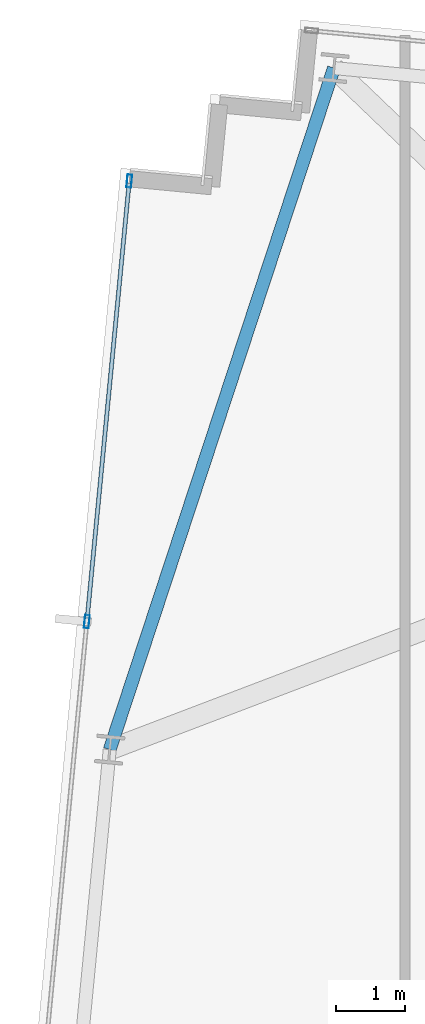
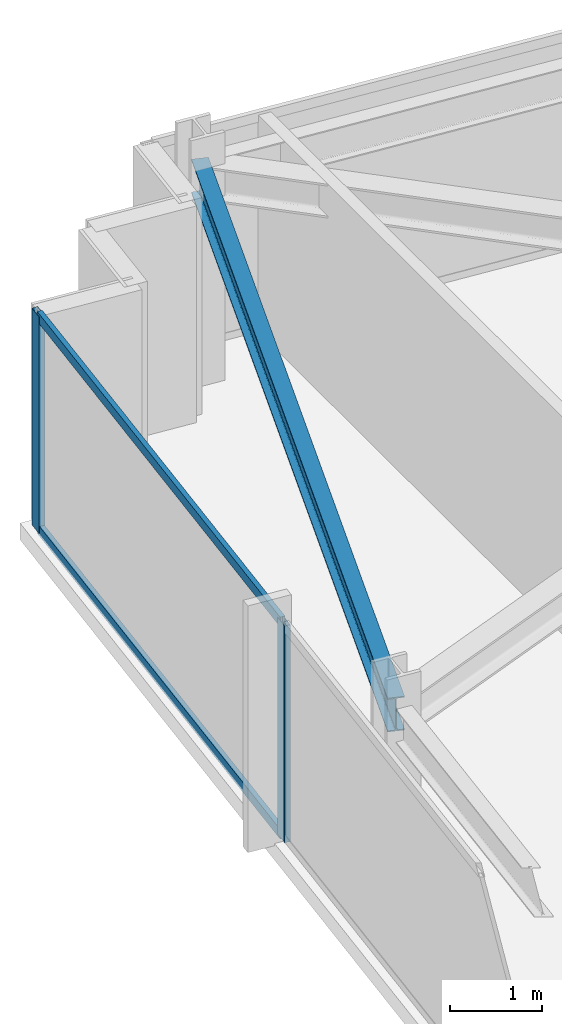
# One storey, part 21 of 37: 4 members, 1 beam, 1 element without a shape of its own.
"""IFC4 building model written with IfcOpenShell, lengths in metres."""

import ifcopenshell
import ifcopenshell.guid

model = None  # the IFC model being written
_history = None  # IfcOwnerHistory: only IFC2X3 demands one
_inside = {}  # id of a spatial element -> (the spatial element, [elements in it])
_under = {}  # id of a project, library or spatial element -> (it, [spatial elements below it])
_declared = {}  # id of a project -> (the project, [libraries it declares])
_typed = {}  # id of a type object -> (the type object, [elements of that type])
_made_of = {}  # id of a material, layer set ... -> (it, [elements and type objects made of it])


def new_model(schema):
    """Start an empty IFC model of exactly this schema.

    Asked for "IFC4X3", IfcOpenShell would pick the latest addendum, in which some entities
    have other attributes; the version numbers below select the first issue.
    IFC2X3 requires an IfcOwnerHistory on every rooted entity: one is made here for all.
    """
    global model, _history
    if schema == "IFC4X3":
        model = ifcopenshell.file(schema_version=(4, 3, 0, 0))
    else:
        model = ifcopenshell.file(schema=schema)
    _inside.clear()
    _under.clear()
    _declared.clear()
    _typed.clear()
    _made_of.clear()
    _history = None
    if model.schema == "IFC2X3":
        org = make("IfcOrganization", Name="unknown")
        user = make(
            "IfcPersonAndOrganization",
            ThePerson=make("IfcPerson", FamilyName="unknown"),
            TheOrganization=org,
        )
        app = make(
            "IfcApplication",
            ApplicationDeveloper=org,
            Version="unknown",
            ApplicationFullName="unknown",
            ApplicationIdentifier="unknown",
        )
        _history = make(
            "IfcOwnerHistory",
            OwningUser=user,
            OwningApplication=app,
            ChangeAction="ADDED",
            CreationDate=0,
        )
    return model


def make(cls, **values):
    """One entity of the class cls with the attributes given. An attribute that is None is left unset."""
    return model.create_entity(
        cls, **{name: value for name, value in values.items() if value is not None}
    )


def rooted(cls, **values):
    """An entity with a GlobalId (a new one), such as an element, a storey or a relation."""
    return make(cls, GlobalId=ifcopenshell.guid.new(), OwnerHistory=_history, **values)


def si_unit(unit_type, name, prefix=None):
    """IfcSIUnit, for example si_unit("LENGTHUNIT", "METRE", prefix="MILLI")."""
    return make("IfcSIUnit", UnitType=unit_type, Prefix=prefix, Name=name)


def assignment(units):
    """IfcUnitAssignment: the units of a project."""
    return None if units is None else make("IfcUnitAssignment", Units=units)


def point(xyz):
    """IfcCartesianPoint."""
    return None if xyz is None else make("IfcCartesianPoint", Coordinates=xyz)


def direction(xyz):
    """IfcDirection."""
    return None if xyz is None else make("IfcDirection", DirectionRatios=xyz)


def frame(location, z_axis=None, x_axis=None):
    """IfcAxis2Placement3D, a coordinate frame: its origin and axes. An axis left out is left unset."""
    return make(
        "IfcAxis2Placement3D",
        Location=point(location),
        Axis=direction(z_axis),
        RefDirection=direction(x_axis),
    )


def frame_2d(location, x_axis=None):
    """IfcAxis2Placement2D, a coordinate frame in the plane: its origin and x axis."""
    return make(
        "IfcAxis2Placement2D", Location=point(location), RefDirection=direction(x_axis)
    )


def origin():
    """The frame at (0, 0, 0) with its axes left unset."""
    return frame((0.0, 0.0, 0.0))


def origin_2d():
    """The frame at (0, 0) in the plane with its x axis left unset."""
    return frame_2d((0.0, 0.0))


def place(relative_to, where):
    """IfcLocalPlacement: puts the frame where relative to a parent placement (None: the world)."""
    return make(
        "IfcLocalPlacement", PlacementRelTo=relative_to, RelativePlacement=where
    )


def context(
    kind, dimensions, precision=None, world=None, true_north=None, identifier=None
):
    """IfcGeometricRepresentationContext, for example the 3D "Model" context."""
    return make(
        "IfcGeometricRepresentationContext",
        ContextIdentifier=identifier,
        ContextType=kind,
        CoordinateSpaceDimension=dimensions,
        Precision=precision,
        WorldCoordinateSystem=world,
        TrueNorth=true_north,
    )


def subcontext(parent, identifier, kind, view, scale=None):
    """IfcGeometricRepresentationSubContext, for example "Body" below "Model"."""
    return make(
        "IfcGeometricRepresentationSubContext",
        ContextIdentifier=identifier,
        ContextType=kind,
        ParentContext=parent,
        TargetScale=scale,
        TargetView=view,
    )


def project(units=None, contexts=None):
    """IfcProject with its units and contexts."""
    return rooted(
        "IfcProject",
        Name="project",
        RepresentationContexts=contexts,
        UnitsInContext=assignment(units),
    )


def spatial(cls, under=None, at=None, **own):
    """A site, building, storey or space (cls), placed at a placement, below another one or the project."""
    s = rooted(cls, ObjectPlacement=at, **own)
    if under is not None:
        _under.setdefault(under.id(), (under, []))[1].append(s)
    return s


def profile(cls, at=None, kind="AREA", **sizes):
    """A parametric profile (cls). Its sizes go by their IFC names, for example OverallWidth=200.0."""
    return make(cls, ProfileType=kind, Position=at, **sizes)


def hollow_rectangle(**sizes):
    """IfcRectangleHollowProfileDef."""
    return profile("IfcRectangleHollowProfileDef", **sizes)


def i_section(**sizes):
    """IfcIShapeProfileDef."""
    return profile("IfcIShapeProfileDef", **sizes)


def extrude(swept, where, along, depth):
    """IfcExtrudedAreaSolid: the profile swept, set in the frame where, extruded along a direction by depth."""
    return make(
        "IfcExtrudedAreaSolid",
        SweptArea=swept,
        Position=where,
        ExtrudedDirection=direction(along),
        Depth=depth,
    )


def shape(context_of_items, identifier, shape_type, items):
    """IfcShapeRepresentation: the items that make up one representation, for example the "Body"."""
    return make(
        "IfcShapeRepresentation",
        ContextOfItems=context_of_items,
        RepresentationIdentifier=identifier,
        RepresentationType=shape_type,
        Items=items,
    )


def material(Name=None, Category=None):
    """IfcMaterial."""
    return make("IfcMaterial", Name=Name, Category=Category)


def material_profile(
    of_material, cross_section, Name=None, Category=None, Priority=None
):
    """IfcMaterialProfile: a cross section and its material."""
    return make(
        "IfcMaterialProfile",
        Name=Name,
        Material=of_material,
        Profile=cross_section,
        Priority=Priority,
        Category=Category,
    )


def profile_set(profiles, Name=None, composite=None):
    """IfcMaterialProfileSet."""
    return make(
        "IfcMaterialProfileSet",
        Name=Name,
        MaterialProfiles=profiles,
        CompositeProfile=composite,
    )


def made_of(thing, what):
    """Note that an element or type object is made of a material, layer set ...; save() writes the relation."""
    if what is not None:
        _made_of.setdefault(what.id(), (what, []))[1].append(thing)
    return thing


def type_object(cls, material=None, **own):
    """A type object (cls), such as IfcWallType, which elements share."""
    return made_of(rooted(cls, **own), material)


def element(
    cls,
    number,
    at=None,
    inside=None,
    cuts=None,
    type_object=None,
    material=None,
    context=None,
    identifier="Body",
    shape_type=None,
    held_by="IfcProductDefinitionShape",
    body=None,
    shapes=None,
    **own,
):
    """One element of the class cls, such as IfcWall. Its Tag is "e" and its number.

    at: its placement. inside: the storey or other place that contains it. cuts: it is an
    opening in that element (IfcRelVoidsElement). A single representation is given by context,
    identifier, shape_type and body (its items); several are given by shapes. held_by: the class
    of the entity that holds the representations. save() writes the other relations.
    """
    e = rooted(cls, Tag="e%d" % number, ObjectPlacement=at, **own)
    if body is not None:
        shapes = [shape(context, identifier, shape_type, body)]
    if shapes is not None:
        e.Representation = make(held_by, Representations=shapes)
    if inside is not None:
        _inside.setdefault(inside.id(), (inside, []))[1].append(e)
    if cuts is not None:
        rooted(
            "IfcRelVoidsElement", RelatingBuildingElement=cuts, RelatedOpeningElement=e
        )
    if type_object is not None:
        _typed.setdefault(type_object.id(), (type_object, []))[1].append(e)
    return made_of(e, material)


def aggregate(whole, parts):
    """IfcRelAggregates: a whole, such as a stair, and the parts it consists of."""
    return rooted("IfcRelAggregates", RelatingObject=whole, RelatedObjects=parts)


def save(model, path):
    """Write the relations noted so far, then the file.

    IfcRelAggregates (storeys below a building ...), IfcRelContainedInSpatialStructure (elements
    in a storey), IfcRelDefinesByType, IfcRelAssociatesMaterial and IfcRelDeclares: one each for
    every whole, place, type object, material and project.
    """
    for whole, parts in _under.values():
        aggregate(whole, parts)
    for where, things in _inside.values():
        rooted(
            "IfcRelContainedInSpatialStructure",
            RelatedElements=things,
            RelatingStructure=where,
        )
    for kind, things in _typed.values():
        rooted("IfcRelDefinesByType", RelatedObjects=things, RelatingType=kind)
    for what, things in _made_of.values():
        rooted("IfcRelAssociatesMaterial", RelatedObjects=things, RelatingMaterial=what)
    for by, libraries in _declared.values():
        rooted("IfcRelDeclares", RelatingContext=by, RelatedDefinitions=libraries)
    model.write(path)


model = new_model("IFC4")

# Units and contexts
model_context = context("Model", 3, precision=1e-05, world=origin(), true_north=direction((0.0, 1.0)))
body_context = subcontext(model_context, "Body", "Model", "MODEL_VIEW")
ifc_project = project(units=[si_unit("LENGTHUNIT", "METRE"), si_unit("AREAUNIT", "SQUARE_METRE"), si_unit("VOLUMEUNIT", "CUBIC_METRE"), si_unit("PLANEANGLEUNIT", "RADIAN"), si_unit("MASSUNIT", "GRAM", prefix="KILO")], contexts=[model_context])

# Site, building, storey
site_placement = place(None, origin())
site = spatial("IfcSite", under=ifc_project, at=site_placement, CompositionType="ELEMENT")
building_placement = place(site_placement, origin())
building = spatial("IfcBuilding", under=site, at=building_placement, Name="Yelkora Congress Tower", CompositionType="ELEMENT")
storey_placement = place(building_placement, frame((0.0, 0.0, 188.60009765625)))
storey = spatial("IfcBuildingStorey", under=building, at=storey_placement, Name="L52", CompositionType="ELEMENT", Elevation=188.60009765625)

# Beam
ifc_material_1 = material(Name="Steel S355J2", Category="steel")
ifc_material_profile_1 = material_profile(ifc_material_1, i_section(OverallWidth=0.18994140625, OverallDepth=0.449951171875, WebThickness=0.009521484375, FlangeThickness=0.0146484375, FilletRadius=0.02099609375, at=origin_2d()), Name="IPE 450")
ifc_profile_set_1 = profile_set([ifc_material_profile_1], Name="Steel S355J2")
beam_type = type_object("IfcBeamType", Name="BM-SPAN-IPE450", PredefinedType="SPANDREL", material=ifc_profile_set_1)
beam_placement = place(storey_placement, frame((7.388916015625, 50.390625, 2.65478515625), z_axis=(-0.312456737339, -0.949931990877, 0.0), x_axis=(0.949931990877, -0.312456737339, 0.0)))
element("IfcBeam", 1, at=beam_placement, inside=storey, type_object=beam_type, Name="L52 Perimeter Beam 16", PredefinedType="SPANDREL", context=body_context, shape_type="SweptSolid", body=[
    extrude(i_section(OverallWidth=0.18994140625, OverallDepth=0.449951171875, WebThickness=0.009521484375, FlangeThickness=0.0146484375, FilletRadius=0.02099609375, at=origin_2d()), origin(), (0.0, 0.0, 1.0), 10.4560546875),
])

# Curtain wall, members
ifc_material_2 = material(Name="Anodised aluminium and insulated glass", Category="aluminium")
curtain_wall_type = type_object("IfcCurtainWallType", Name="CW-SYS-B3", PredefinedType="NOTDEFINED", material=ifc_material_2)
curtain_wall_placement = place(storey_placement, origin())
curtain_wall = element("IfcCurtainWall", 2, at=curtain_wall_placement, inside=storey, type_object=curtain_wall_type, Name="L52 Unitised Curtain Wall 5", PredefinedType="NOTDEFINED")
ifc_material_3 = material(Name="Anodised aluminium 6063-T6", Category="aluminium")
ifc_material_profile_2 = material_profile(ifc_material_3, hollow_rectangle(XDim=0.070068359375, YDim=0.18994140625, WallThickness=0.00390625, at=origin_2d()), Name="ALU 70x190x4")
ifc_profile_set_2 = profile_set([ifc_material_profile_2], Name="Anodised aluminium 6063-T6")
member_type_1 = type_object("IfcMemberType", Name="MEM-ML-B3", PredefinedType="MULLION", material=ifc_profile_set_2)
member_1_placement = place(storey_placement, frame((3.7890625, 42.324462890625, 0.0), z_axis=(0.0, 0.0, 1.0), x_axis=(-0.995396242473, 0.095845294465, 0.0)))
member_1 = element("IfcMember", 3, at=member_1_placement, type_object=member_type_1, Name="CW-B3 mullion 5", PredefinedType="MULLION", context=body_context, shape_type="SweptSolid", body=[
    extrude(hollow_rectangle(XDim=0.070068359375, YDim=0.18994140625, WallThickness=0.00390625, at=origin_2d()), origin(), (0.0, 0.0, 1.0), 2.8798828125),
])
member_2_placement = place(storey_placement, frame((4.4072265625, 48.74365234375, 0.0), z_axis=(0.0, 0.0, 1.0), x_axis=(-0.995396242473, 0.095845294465, 0.0)))
member_2 = element("IfcMember", 4, at=member_2_placement, type_object=member_type_1, Name="CW-B3 mullion 6", PredefinedType="MULLION", context=body_context, shape_type="SweptSolid", body=[
    extrude(hollow_rectangle(XDim=0.070068359375, YDim=0.18994140625, WallThickness=0.00390625, at=origin_2d()), origin(), (0.0, 0.0, 1.0), 2.8798828125),
])
ifc_material_profile_3 = material_profile(ifc_material_3, hollow_rectangle(XDim=0.06005859375, YDim=0.1298828125, WallThickness=0.00390625, at=origin_2d()), Name="ALU 60x130x4")
ifc_profile_set_3 = profile_set([ifc_material_profile_3], Name="Anodised aluminium 6063-T6")
member_type_2 = type_object("IfcMemberType", Name="MEM-TR-B3", PredefinedType="USERDEFINED", material=ifc_profile_set_3)
member_3_placement = place(storey_placement, frame((3.79248046875, 42.359375, 0.02978515625), z_axis=(0.095834923543, 0.99539724102, 0.0), x_axis=(-0.99539724102, 0.095834923543, 0.0)))
member_3 = element("IfcMember", 5, at=member_3_placement, type_object=member_type_2, Name="CW-B3 transom 5.1", ObjectType="TRANSOM", PredefinedType="USERDEFINED", context=body_context, shape_type="SweptSolid", body=[
    extrude(hollow_rectangle(XDim=0.06005859375, YDim=0.1298828125, WallThickness=0.00390625, at=origin_2d()), origin(), (0.0, 0.0, 1.0), 6.37890625),
])
member_4_placement = place(storey_placement, frame((3.79248046875, 42.359375, 2.849853515625), z_axis=(0.095834923543, 0.99539724102, 0.0), x_axis=(-0.99539724102, 0.095834923543, 0.0)))
member_4 = element("IfcMember", 6, at=member_4_placement, type_object=member_type_2, Name="CW-B3 transom 5.2", ObjectType="TRANSOM", PredefinedType="USERDEFINED", context=body_context, shape_type="SweptSolid", body=[
    extrude(hollow_rectangle(XDim=0.06005859375, YDim=0.1298828125, WallThickness=0.00390625, at=origin_2d()), origin(), (0.0, 0.0, 1.0), 6.37890625),
])
aggregate(curtain_wall, [member_1, member_2, member_3, member_4])

save(model, "model.ifc")
